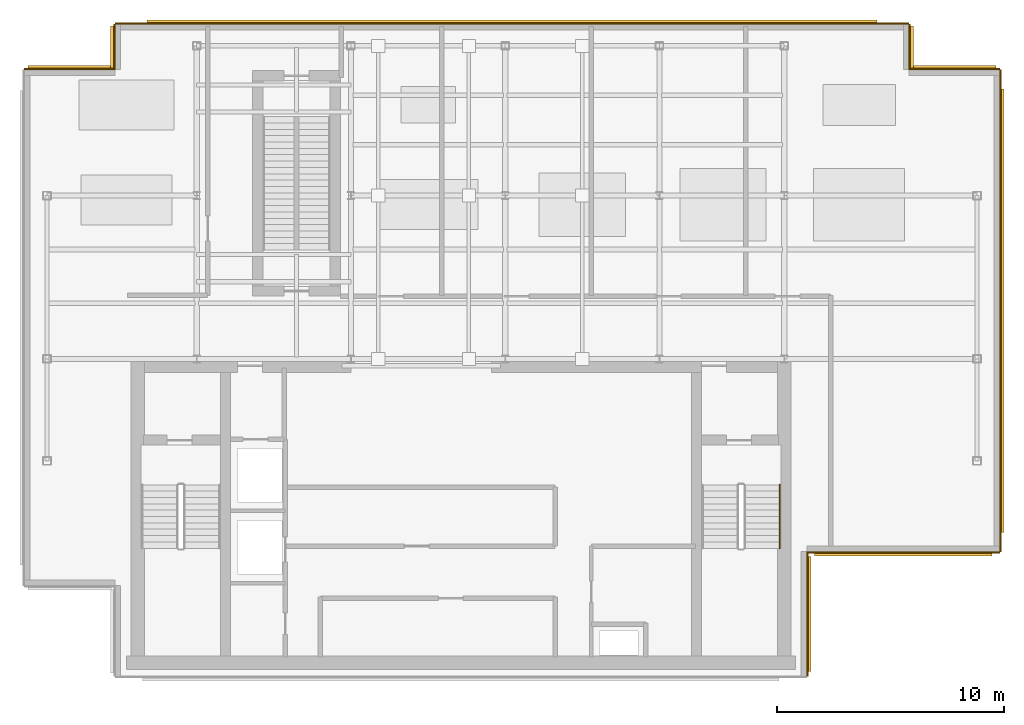
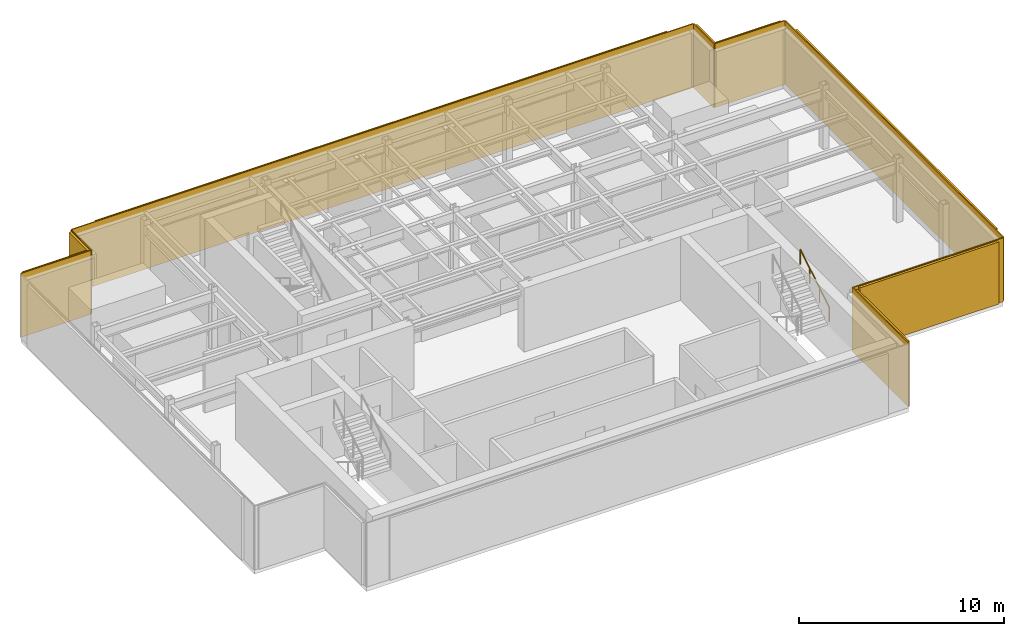
# One storey, part 6 of 7: 8 coverings, 8 shading devices, 1 railing.
"""IFC4 building model written with IfcOpenShell, lengths in metres."""

from ifc_helpers import new_model, si_unit, derived_unit, direction, frame, origin, origin_2d, place, context, subcontext, project, spatial, rectangle, circle, extrude, source, transform, mapped, material, layer, layer_set, type_object, element, save


model = new_model("IFC4")

# Units and contexts
model_context = context("Model", 3, precision=1e-05, world=origin(), true_north=direction((0.0, 1.0)))
body_context = subcontext(model_context, "Body", "Model", "MODEL_VIEW")
ifc_project = project(units=[si_unit("LENGTHUNIT", "METRE"), si_unit("AREAUNIT", "SQUARE_METRE"), si_unit("VOLUMEUNIT", "CUBIC_METRE"), si_unit("PLANEANGLEUNIT", "RADIAN"), si_unit("MASSUNIT", "GRAM", prefix="KILO"), derived_unit("THERMALTRANSMITTANCEUNIT", [(si_unit("POWERUNIT", "WATT"), 1), (si_unit("LENGTHUNIT", "METRE"), -2), (si_unit("THERMODYNAMICTEMPERATUREUNIT", "KELVIN"), -1)])], contexts=[model_context])

# Site, building, storey
site_placement = place(None, origin())
site = spatial("IfcSite", under=ifc_project, at=site_placement, CompositionType="ELEMENT")
building_placement = place(site_placement, origin())
building = spatial("IfcBuilding", under=site, at=building_placement, Name="Skarnbrae Concourse Arena and Tower", CompositionType="ELEMENT")
storey_placement = place(building_placement, frame((0.0, 0.0, 307.449951171875)))
storey = spatial("IfcBuildingStorey", under=building, at=storey_placement, Name="L80", CompositionType="ELEMENT", Elevation=307.449951171875)

# Railing
ifc_material_1 = material(Name="Steel CSA G40.21 350W", Category="steel")
railing_type = type_object("IfcRailingType", Name="RAIL-HANDRAIL-900", PredefinedType="HANDRAIL", material=ifc_material_1)
railing_placement = place(storey_placement, frame((33.300048828125, 5.64990234375, 2.07275390625)))
element("IfcRailing", 1, at=railing_placement, inside=storey, type_object=railing_type, Name="L80 ST-2 stair handrail 2", PredefinedType="HANDRAIL", context=body_context, shape_type="SweptSolid", body=[
    extrude(circle(Radius=0.02392578125, at=origin_2d()), frame((0.0, 0.0, 0.8759765625), z_axis=(0.0, 0.851089632645, 0.525020415988), x_axis=(-1.0, 0.0, 0.0)), (0.0, 0.0, 1.0), 3.2900390625),
    extrude(circle(Radius=0.02099609375, at=origin_2d()), origin(), (0.0, 0.0, 1.0), 0.851806640625),
    extrude(circle(Radius=0.02099609375, at=origin_2d()), frame((0.0, 0.933349609375, 0.57568359375)), (0.0, 0.0, 1.0), 0.851806640625),
    extrude(circle(Radius=0.02099609375, at=origin_2d()), frame((0.0, 1.86669921875, 1.151611328125)), (0.0, 0.0, 1.0), 0.851806640625),
    extrude(circle(Radius=0.02099609375, at=origin_2d()), frame((0.0, 2.800048828125, 1.727294921875)), (0.0, 0.0, 1.0), 0.851806640625),
])

# Covering
ifc_material_2 = material(Name="Bronze anodised aluminium 6063-T6", Category="aluminium")
ifc_layer = layer(ifc_material_2, 0.06005859375)
ifc_layer_set = layer_set([ifc_layer], Name="Bronze anodised aluminium 6063-T6")
covering_type = type_object("IfcCoveringType", Name="COV-CLAD-BRONZE-60", PredefinedType="CLADDING", material=ifc_layer_set)
shared_shape_1 = source(origin(), body_context, "Body", "SweptSolid", [
    extrude(rectangle(XDim=5.5, YDim=0.06005859375, at=origin_2d()), origin(), (0.0, 0.0, 1.0), 3.800048828125),
])
covering_1_placement = place(storey_placement, frame((34.530029296875, 2.75, 0.0), z_axis=(0.0, 0.0, 1.0), x_axis=(0.0, 1.0, 0.0)))
element("IfcCovering", 2, at=covering_1_placement, inside=storey, type_object=covering_type, Name="L80 Bronze crown rainscreen cladding 02", PredefinedType="CLADDING", context=body_context, shape_type="MappedRepresentation", body=[
    mapped(shared_shape_1, transform((0.0, 0.0, 0.0))),
])

# Shading device
shading_device_type = type_object("IfcShadingDeviceType", Name="SHD-BRONZE-LOUVRE-150", PredefinedType="USERDEFINED", material=ifc_material_2)
shared_shape_2 = source(origin(), body_context, "Body", "SweptSolid", [
    extrude(rectangle(XDim=5.06005859375, YDim=0.139892578125, at=origin_2d()), origin(), (0.0, 0.0, 1.0), 3.699951171875),
])
shading_device_1_placement = place(storey_placement, frame((34.6201171875, 2.75, 0.05029296875), z_axis=(0.0, 0.0, 1.0), x_axis=(0.0, 1.0, 0.0)))
element("IfcShadingDevice", 3, at=shading_device_1_placement, inside=storey, type_object=shading_device_type, Name="L80 Crown bronze architectural louvre screen 02", ObjectType="LOUVRE", PredefinedType="USERDEFINED", context=body_context, shape_type="MappedRepresentation", body=[
    mapped(shared_shape_2, transform((0.0, 0.0, 0.0))),
])

# Covering
shared_shape_3 = source(origin(), body_context, "Body", "SweptSolid", [
    extrude(rectangle(XDim=8.5, YDim=0.06005859375, at=origin_2d()), origin(), (0.0, 0.0, 1.0), 3.800048828125),
])
covering_2_placement = place(storey_placement, frame((38.75, 5.469970703125, 0.0), z_axis=(0.0, 0.0, 1.0), x_axis=(1.0, 0.0, 0.0)))
element("IfcCovering", 4, at=covering_2_placement, inside=storey, type_object=covering_type, Name="L80 Bronze crown rainscreen cladding 03", PredefinedType="CLADDING", context=body_context, shape_type="MappedRepresentation", body=[
    mapped(shared_shape_3, transform((0.0, 0.0, 0.0))),
])

# Shading device
shared_shape_4 = source(origin(), body_context, "Body", "SweptSolid", [
    extrude(rectangle(XDim=7.820068359375, YDim=0.139892578125, at=origin_2d()), origin(), (0.0, 0.0, 1.0), 3.699951171875),
])
shading_device_2_placement = place(storey_placement, frame((38.75, 5.3798828125, 0.05029296875), z_axis=(0.0, 0.0, 1.0), x_axis=(1.0, 0.0, 0.0)))
element("IfcShadingDevice", 5, at=shading_device_2_placement, inside=storey, type_object=shading_device_type, Name="L80 Crown bronze architectural louvre screen 03", ObjectType="LOUVRE", PredefinedType="USERDEFINED", context=body_context, shape_type="MappedRepresentation", body=[
    mapped(shared_shape_4, transform((0.0, 0.0, 0.0))),
])

# Covering
shared_shape_5 = source(origin(), body_context, "Body", "SweptSolid", [
    extrude(rectangle(XDim=21.25, YDim=0.06005859375, at=origin_2d()), origin(), (0.0, 0.0, 1.0), 3.800048828125),
])
covering_3_placement = place(storey_placement, frame((43.030029296875, 16.125, 0.0), z_axis=(0.0, 0.0, 1.0), x_axis=(0.0, 1.0, 0.0)))
element("IfcCovering", 6, at=covering_3_placement, inside=storey, type_object=covering_type, Name="L80 Bronze crown rainscreen cladding 04", PredefinedType="CLADDING", context=body_context, shape_type="MappedRepresentation", body=[
    mapped(shared_shape_5, transform((0.0, 0.0, 0.0))),
])

# Shading device
shared_shape_6 = source(origin(), body_context, "Body", "SweptSolid", [
    extrude(rectangle(XDim=19.550048828125, YDim=0.139892578125, at=origin_2d()), origin(), (0.0, 0.0, 1.0), 3.699951171875),
])
shading_device_3_placement = place(storey_placement, frame((43.1201171875, 16.125, 0.05029296875), z_axis=(0.0, 0.0, 1.0), x_axis=(0.0, 1.0, 0.0)))
element("IfcShadingDevice", 7, at=shading_device_3_placement, inside=storey, type_object=shading_device_type, Name="L80 Crown bronze architectural louvre screen 04", ObjectType="LOUVRE", PredefinedType="USERDEFINED", context=body_context, shape_type="MappedRepresentation", body=[
    mapped(shared_shape_6, transform((0.0, 0.0, 0.0))),
])

# Coverings
shared_shape_7 = source(origin(), body_context, "Body", "SweptSolid", [
    extrude(rectangle(XDim=4.0, YDim=0.06005859375, at=origin_2d()), origin(), (0.0, 0.0, 1.0), 3.800048828125),
])
for number, where, z_axis, x_axis, name in (
    (8, (41.0, 26.780029296875, 0.0), (0.0, 0.0, 1.0), (-1.0, 0.0, 0.0), "L80 Bronze crown rainscreen cladding 05"),
    (9, (2.0, 26.780029296875, 0.0), (0.0, 0.0, 1.0), (-1.0, 0.0, 0.0), "L80 Bronze crown rainscreen cladding 09"),
):
    element("IfcCovering", number, at=place(storey_placement, frame(where, z_axis=z_axis, x_axis=x_axis)), inside=storey, type_object=covering_type, Name=name, PredefinedType="CLADDING", context=body_context, shape_type="MappedRepresentation", body=[
        mapped(shared_shape_7, transform((0.0, 0.0, 0.0))),
    ])

# Shading devices
shared_shape_8 = source(origin(), body_context, "Body", "SweptSolid", [
    extrude(rectangle(XDim=3.679931640625, YDim=0.139892578125, at=origin_2d()), origin(), (0.0, 0.0, 1.0), 3.699951171875),
])
for number, where, z_axis, x_axis, name in (
    (10, (41.0, 26.8701171875, 0.05029296875), (0.0, 0.0, 1.0), (-1.0, 0.0, 0.0), "L80 Crown bronze architectural louvre screen 05"),
    (11, (2.0, 26.8701171875, 0.05029296875), (0.0, 0.0, 1.0), (-1.0, 0.0, 0.0), "L80 Crown bronze architectural louvre screen 09"),
):
    element("IfcShadingDevice", number, at=place(storey_placement, frame(where, z_axis=z_axis, x_axis=x_axis)), inside=storey, type_object=shading_device_type, Name=name, ObjectType="LOUVRE", PredefinedType="USERDEFINED", context=body_context, shape_type="MappedRepresentation", body=[
        mapped(shared_shape_8, transform((0.0, 0.0, 0.0))),
    ])

# Coverings
shared_shape_9 = source(origin(), body_context, "Body", "SweptSolid", [
    extrude(rectangle(XDim=2.0, YDim=0.06005859375, at=origin_2d()), origin(), (0.0, 0.0, 1.0), 3.800048828125),
])
for number, where, z_axis, x_axis, name in (
    (12, (39.030029296875, 27.75, 0.0), (0.0, 0.0, 1.0), (0.0, 1.0, 0.0), "L80 Bronze crown rainscreen cladding 06"),
    (13, (3.969970703125, 27.75, 0.0), (0.0, 0.0, 1.0), (0.0, -1.0, 0.0), "L80 Bronze crown rainscreen cladding 08"),
):
    element("IfcCovering", number, at=place(storey_placement, frame(where, z_axis=z_axis, x_axis=x_axis)), inside=storey, type_object=covering_type, Name=name, PredefinedType="CLADDING", context=body_context, shape_type="MappedRepresentation", body=[
        mapped(shared_shape_9, transform((0.0, 0.0, 0.0))),
    ])

# Shading devices
shared_shape_10 = source(origin(), body_context, "Body", "SweptSolid", [
    extrude(rectangle(XDim=1.840087890625, YDim=0.139892578125, at=origin_2d()), origin(), (0.0, 0.0, 1.0), 3.699951171875),
])
for number, where, z_axis, x_axis, name in (
    (14, (39.1201171875, 27.75, 0.05029296875), (0.0, 0.0, 1.0), (0.0, 1.0, 0.0), "L80 Crown bronze architectural louvre screen 06"),
    (15, (3.8798828125, 27.75, 0.05029296875), (0.0, 0.0, 1.0), (0.0, -1.0, 0.0), "L80 Crown bronze architectural louvre screen 08"),
):
    element("IfcShadingDevice", number, at=place(storey_placement, frame(where, z_axis=z_axis, x_axis=x_axis)), inside=storey, type_object=shading_device_type, Name=name, ObjectType="LOUVRE", PredefinedType="USERDEFINED", context=body_context, shape_type="MappedRepresentation", body=[
        mapped(shared_shape_10, transform((0.0, 0.0, 0.0))),
    ])

# Covering
shared_shape_11 = source(origin(), body_context, "Body", "SweptSolid", [
    extrude(rectangle(XDim=35.0, YDim=0.06005859375, at=origin_2d()), origin(), (0.0, 0.0, 1.0), 3.800048828125),
])
covering_4_placement = place(storey_placement, frame((21.5, 28.780029296875, 0.0), z_axis=(0.0, 0.0, 1.0), x_axis=(-1.0, 0.0, 0.0)))
element("IfcCovering", 16, at=covering_4_placement, inside=storey, type_object=covering_type, Name="L80 Bronze crown rainscreen cladding 07", PredefinedType="CLADDING", context=body_context, shape_type="MappedRepresentation", body=[
    mapped(shared_shape_11, transform((0.0, 0.0, 0.0))),
])

# Shading device
shared_shape_12 = source(origin(), body_context, "Body", "SweptSolid", [
    extrude(rectangle(XDim=32.199951171875, YDim=0.139892578125, at=origin_2d()), origin(), (0.0, 0.0, 1.0), 3.699951171875),
])
shading_device_4_placement = place(storey_placement, frame((21.5, 28.8701171875, 0.05029296875), z_axis=(0.0, 0.0, 1.0), x_axis=(-1.0, 0.0, 0.0)))
element("IfcShadingDevice", 17, at=shading_device_4_placement, inside=storey, type_object=shading_device_type, Name="L80 Crown bronze architectural louvre screen 07", ObjectType="LOUVRE", PredefinedType="USERDEFINED", context=body_context, shape_type="MappedRepresentation", body=[
    mapped(shared_shape_12, transform((0.0, 0.0, 0.0))),
])

save(model, "model.ifc")
